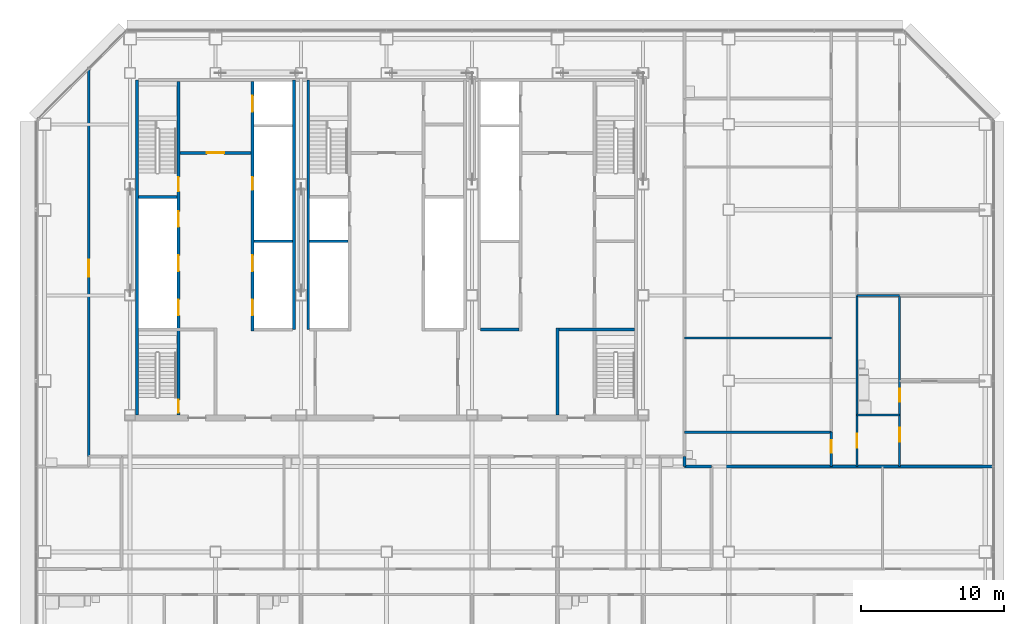
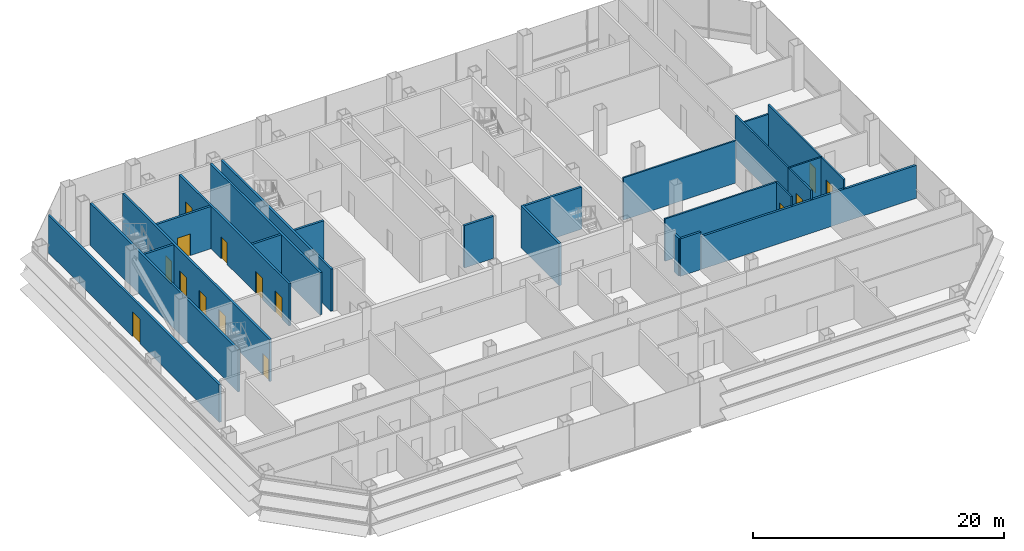
# One storey, part 22 of 27: 25 walls, 15 doors, 15 openings.
"""IFC4 building model written with IfcOpenShell, lengths in metres."""

from ifc_helpers import new_model, si_unit, direction, frame, frame_2d, origin, place, context, subcontext, project, spatial, rectangle, extrude, material, layer, layer_set, type_object, element, fill, save


model = new_model("IFC4")

# Units and contexts
model_context = context("Model", 3, precision=1e-05, world=origin(), true_north=direction((0.0, 1.0)))
body_context = subcontext(model_context, "Body", "Model", "MODEL_VIEW")
ifc_project = project(units=[si_unit("LENGTHUNIT", "METRE"), si_unit("AREAUNIT", "SQUARE_METRE"), si_unit("VOLUMEUNIT", "CUBIC_METRE"), si_unit("PLANEANGLEUNIT", "RADIAN"), si_unit("MASSUNIT", "GRAM", prefix="KILO")], contexts=[model_context])

# Site, building, storey
site_placement = place(None, origin())
site = spatial("IfcSite", under=ifc_project, at=site_placement, CompositionType="ELEMENT")
building_placement = place(site_placement, origin())
building = spatial("IfcBuilding", under=site, at=building_placement, Name="Sorahane Residences", CompositionType="ELEMENT")
storey_placement = place(building_placement, frame((0.0, 0.0, 85.800048828125)))
storey = spatial("IfcBuildingStorey", under=building, at=storey_placement, Name="L18", CompositionType="ELEMENT", Elevation=85.800048828125)

# Walls
ifc_material_1 = material(Name="Concrete C30", Category="concrete")
ifc_layer_1 = layer(ifc_material_1, 0.199951171875)
ifc_layer_set_1 = layer_set([ifc_layer_1], Name="Core face wall 200 EI 180")
wall_type_1 = type_object("IfcWallType", Name="Core face wall 200 EI 180", PredefinedType="SOLIDWALL", material=ifc_layer_set_1)
wall_1_placement = place(storey_placement, frame((6.5, 21.60009765625, 0.0), z_axis=(0.0, 0.0, 1.0), x_axis=(0.0, 1.0, 0.0)))
element("IfcWall", 1, at=wall_1_placement, inside=storey, type_object=wall_type_1, Name="L18 core face wall", PredefinedType="SOLIDWALL", context=body_context, shape_type="SweptSolid", body=[
    extrude(rectangle(XDim=23.5, YDim=0.199951171875, at=frame_2d((11.75, 0.0))), origin(), (0.0, 0.0, 1.0), 4.099853515625),
])
for number, where, z_axis, x_axis, name in (
    (2, (17.5, 27.60009765625, 0.0), (0.0, 0.0, 1.0), (0.0, 1.0, 0.0), "L18 core face wall"),
    (3, (18.5, 27.60009765625, 0.0), (0.0, 0.0, 1.0), (0.0, 1.0, 0.0), "L18 core face wall"),
):
    element("IfcWall", number, at=place(storey_placement, frame(where, z_axis=z_axis, x_axis=x_axis)), inside=storey, type_object=wall_type_1, Name=name, PredefinedType="SOLIDWALL", context=body_context, shape_type="SweptSolid", body=[
        extrude(rectangle(XDim=17.5, YDim=0.199951171875, at=frame_2d((8.75, 0.0))), origin(), (0.0, 0.0, 1.0), 4.099853515625),
    ])

# Wall, opening, door
ifc_material_2 = material(Name="Concrete blockwork C20 wall", Category="masonry")
ifc_layer_2 = layer(ifc_material_2, 0.199951171875)
ifc_layer_set_2 = layer_set([ifc_layer_2], Name="Corridor wall 200 EI 120")
wall_type_2 = type_object("IfcWallType", Name="Corridor wall 200 EI 120", PredefinedType="SOLIDWALL", material=ifc_layer_set_2)
wall_2_placement = place(storey_placement, frame((3.10009765625, 18.699951171875, 0.0), z_axis=(0.0, 0.0, 1.0), x_axis=(0.0, 1.0, 0.0)))
wall_2 = element("IfcWall", 4, at=wall_2_placement, inside=storey, type_object=wall_type_2, Name="L18 corridor wall", PredefinedType="SOLIDWALL", context=body_context, shape_type="SweptSolid", body=[
    extrude(rectangle(XDim=27.2490234375, YDim=0.199951171875, at=frame_2d((13.62451171875, 0.0))), origin(), (0.0, 0.0, 1.0), 3.64990234375),
])
opening_1_placement = place(wall_2_placement, frame((12.60009765625, 0.0, 0.0)))
opening_1 = element("IfcOpeningElement", 5, at=opening_1_placement, cuts=wall_2, Name="Opening L18-43", PredefinedType="OPENING", context=body_context, shape_type="SweptSolid", body=[
    extrude(rectangle(XDim=1.199951171875, YDim=2.39990234375, at=frame_2d((0.60009765625, 1.199951171875))), frame((0.0, 0.10986328125, 0.0), z_axis=(0.0, -1.0, 0.0), x_axis=(1.0, 0.0, 0.0)), (0.0, 0.0, 1.0), 0.219970703125),
])
ifc_material_3 = material(Name="Steel", Category="steel")
door_type_1 = type_object("IfcDoorType", Name="Lobby door 1200x2400 FD60", OperationType="NOTDEFINED", PredefinedType="DOOR", material=ifc_material_3)
door_1_placement = place(opening_1_placement, origin())
door_1 = element("IfcDoor", 6, at=door_1_placement, inside=storey, type_object=door_type_1, Name="Lobby door L18-43", OperationType="SINGLE_SWING_RIGHT", OverallHeight=2.39990234375, OverallWidth=1.199951171875, PredefinedType="DOOR", context=body_context, shape_type="SweptSolid", body=[
    extrude(rectangle(XDim=1.199951171875, YDim=2.39990234375, at=frame_2d((0.60009765625, 1.199951171875))), frame((0.0, 0.02490234375, 0.0), z_axis=(0.0, -1.0, 0.0), x_axis=(1.0, 0.0, 0.0)), (0.0, 0.0, 1.0), 0.050048828125),
])
fill(opening_1, door_1)

# Wall
ifc_material_4 = material(Name="Concrete C30", Category="concrete")
ifc_layer_3 = layer(ifc_material_4, 0.199951171875)
ifc_layer_set_3 = layer_set([ifc_layer_3], Name="Front room wall 200 EI 120")
wall_type_3 = type_object("IfcWallType", Name="Front room wall 200 EI 120", PredefinedType="PARTITIONING", material=ifc_layer_set_3)
wall_3_placement = place(storey_placement, frame((36.0, 21.60009765625, 0.0), z_axis=(0.0, 0.0, 1.0), x_axis=(0.0, 1.0, 0.0)))
element("IfcWall", 7, at=wall_3_placement, inside=storey, type_object=wall_type_3, Name="L18 front room wall", PredefinedType="PARTITIONING", context=body_context, shape_type="SweptSolid", body=[
    extrude(rectangle(XDim=6.099853515625, YDim=0.199951171875, at=frame_2d((3.0498046875, 0.0))), origin(), (0.0, 0.0, 1.0), 4.099853515625),
])

# Wall, opening, door
wall_4_placement = place(storey_placement, frame((9.5, 40.0, 0.0), z_axis=(0.0, 0.0, 1.0), x_axis=(1.0, 0.0, 0.0)))
wall_4 = element("IfcWall", 8, at=wall_4_placement, inside=storey, type_object=wall_type_3, Name="L18 front room wall", PredefinedType="PARTITIONING", context=body_context, shape_type="SweptSolid", body=[
    extrude(rectangle(XDim=5.0, YDim=0.199951171875, at=frame_2d((2.5, 0.0))), origin(), (0.0, 0.0, 1.0), 4.099853515625),
])
opening_2_placement = place(wall_4_placement, frame((1.89990234375, 0.0, 0.0)))
opening_2 = element("IfcOpeningElement", 9, at=opening_2_placement, cuts=wall_4, Name="Opening L18-C08", PredefinedType="OPENING", context=body_context, shape_type="SweptSolid", body=[
    extrude(rectangle(XDim=1.199951171875, YDim=2.10009765625, at=frame_2d((0.60009765625, 1.050048828125))), frame((0.0, 0.10986328125, 0.0), z_axis=(0.0, -1.0, 0.0), x_axis=(1.0, 0.0, 0.0)), (0.0, 0.0, 1.0), 0.219970703125),
])
ifc_material_5 = material(Name="Steel", Category="steel")
door_type_2 = type_object("IfcDoorType", Name="Front room door 1200x2100 FD120", OperationType="NOTDEFINED", PredefinedType="DOOR", material=ifc_material_5)
door_2_placement = place(opening_2_placement, frame((1.199951171875, 0.0, 0.0), z_axis=(0.0, 0.0, 1.0), x_axis=(-1.0, 0.0, 0.0)))
door_2 = element("IfcDoor", 10, at=door_2_placement, inside=storey, type_object=door_type_2, Name="Front room door Firefighting lobby FF1 front room L18", OperationType="DOUBLE_DOOR_SINGLE_SWING", OverallHeight=2.10009765625, OverallWidth=1.199951171875, PredefinedType="DOOR", context=body_context, shape_type="SweptSolid", body=[
    extrude(rectangle(XDim=1.199951171875, YDim=2.10009765625, at=frame_2d((0.60009765625, 1.050048828125))), frame((0.0, 0.02490234375, 0.0), z_axis=(0.0, -1.0, 0.0), x_axis=(1.0, 0.0, 0.0)), (0.0, 0.0, 1.0), 0.050048828125),
])
fill(opening_2, door_2)

# Walls
ifc_material_6 = material(Name="Concrete blockwork C20 wall", Category="masonry")
ifc_layer_4 = layer(ifc_material_6, 0.199951171875)
ifc_layer_set_4 = layer_set([ifc_layer_4], Name="Kitchen wall 200 EI 180")
wall_type_4 = type_object("IfcWallType", Name="Kitchen wall 200 EI 180", PredefinedType="SOLIDWALL", material=ifc_layer_set_4)
wall_5_placement = place(storey_placement, frame((44.89990234375, 18.0, 0.0), z_axis=(0.0, 0.0, 1.0), x_axis=(0.0, 1.0, 0.0)))
element("IfcWall", 11, at=wall_5_placement, inside=storey, type_object=wall_type_4, Name="L18 kitchen wall", PredefinedType="SOLIDWALL", context=body_context, shape_type="SweptSolid", body=[
    extrude(rectangle(XDim=0.699951171875, YDim=0.199951171875, at=frame_2d((0.35009765625, 0.0))), origin(), (0.0, 0.0, 1.0), 3.64990234375),
])
wall_6_placement = place(storey_placement, frame((44.89990234375, 18.0, 0.0), z_axis=(0.0, 0.0, 1.0), x_axis=(1.0, 0.0, 0.0)))
element("IfcWall", 12, at=wall_6_placement, inside=storey, type_object=wall_type_4, Name="L18 kitchen wall", PredefinedType="SOLIDWALL", context=body_context, shape_type="SweptSolid", body=[
    extrude(rectangle(XDim=1.900146484375, YDim=0.199951171875, at=frame_2d((0.9501953125, 0.0))), origin(), (0.0, 0.0, 1.0), 3.64990234375),
])

# Wall, openings, doors
ifc_material_7 = material(Name="Concrete C30", Category="concrete")
ifc_layer_5 = layer(ifc_material_7, 0.199951171875)
ifc_layer_set_5 = layer_set([ifc_layer_5], Name="Lift shaft wall 200 EI 120")
wall_type_5 = type_object("IfcWallType", Name="Lift shaft wall 200 EI 120", PredefinedType="SOLIDWALL", material=ifc_layer_set_5)
wall_7_placement = place(storey_placement, frame((14.60009765625, 27.5, 0.0), z_axis=(0.0, 0.0, 1.0), x_axis=(0.0, 1.0, 0.0)))
wall_7 = element("IfcWall", 13, at=wall_7_placement, inside=storey, type_object=wall_type_5, Name="L18 lift shaft wall", PredefinedType="SOLIDWALL", context=body_context, shape_type="SweptSolid", body=[
    extrude(rectangle(XDim=17.5, YDim=0.199951171875, at=frame_2d((8.75, 0.0))), origin(), (0.0, 0.0, 1.0), 4.099853515625),
])
opening_3_placement = place(wall_7_placement, frame((1.10009765625, 0.0, 0.0)))
opening_3 = element("IfcOpeningElement", 14, at=opening_3_placement, cuts=wall_7, Name="Opening L18-C12", PredefinedType="OPENING", context=body_context, shape_type="SweptSolid", body=[
    extrude(rectangle(XDim=1.10009765625, YDim=2.10009765625, at=frame_2d((0.550048828125, 1.050048828125))), frame((0.0, 0.10986328125, 0.0), z_axis=(0.0, -1.0, 0.0), x_axis=(1.0, 0.0, 0.0)), (0.0, 0.0, 1.0), 0.219970703125),
])
opening_4_placement = place(wall_7_placement, frame((4.199951171875, 0.0, 0.0)))
opening_4 = element("IfcOpeningElement", 15, at=opening_4_placement, cuts=wall_7, Name="Opening L18-C13", PredefinedType="OPENING", context=body_context, shape_type="SweptSolid", body=[
    extrude(rectangle(XDim=1.10009765625, YDim=2.10009765625, at=frame_2d((0.550048828125, 1.050048828125))), frame((0.0, 0.10986328125, 0.0), z_axis=(0.0, -1.0, 0.0), x_axis=(1.0, 0.0, 0.0)), (0.0, 0.0, 1.0), 0.219970703125),
])
opening_5_placement = place(wall_7_placement, frame((15.39990234375, 0.0, 0.0)))
opening_5 = element("IfcOpeningElement", 16, at=opening_5_placement, cuts=wall_7, Name="Opening L18-C14", PredefinedType="OPENING", context=body_context, shape_type="SweptSolid", body=[
    extrude(rectangle(XDim=1.10009765625, YDim=2.10009765625, at=frame_2d((0.550048828125, 1.050048828125))), frame((0.0, 0.10986328125, 0.0), z_axis=(0.0, -1.0, 0.0), x_axis=(1.0, 0.0, 0.0)), (0.0, 0.0, 1.0), 0.219970703125),
])
opening_6_placement = place(wall_7_placement, frame((9.89990234375, 0.0, 0.0)))
opening_6 = element("IfcOpeningElement", 17, at=opening_6_placement, cuts=wall_7, Name="Opening L18-C26", PredefinedType="OPENING", context=body_context, shape_type="SweptSolid", body=[
    extrude(rectangle(XDim=0.89990234375, YDim=2.10009765625, at=frame_2d((0.449951171875, 1.050048828125))), frame((0.0, 0.10986328125, 0.0), z_axis=(0.0, -1.0, 0.0), x_axis=(1.0, 0.0, 0.0)), (0.0, 0.0, 1.0), 0.219970703125),
])
ifc_material_8 = material(Name="Aluminium and stainless steel", Category="steel")
door_type_3 = type_object("IfcDoorType", Name="Lift landing door 1100x2100 E 60", OperationType="NOTDEFINED", PredefinedType="DOOR", material=ifc_material_8)
door_3_placement = place(opening_3_placement, origin())
door_3 = element("IfcDoor", 18, at=door_3_placement, inside=storey, type_object=door_type_3, Name="Lift landing door LR4 L18", OperationType="DOUBLE_DOOR_SLIDING", OverallHeight=2.10009765625, OverallWidth=1.10009765625, PredefinedType="DOOR", context=body_context, shape_type="SweptSolid", body=[
    extrude(rectangle(XDim=1.10009765625, YDim=2.10009765625, at=frame_2d((0.550048828125, 1.050048828125))), frame((0.0, 0.02490234375, 0.0), z_axis=(0.0, -1.0, 0.0), x_axis=(1.0, 0.0, 0.0)), (0.0, 0.0, 1.0), 0.050048828125),
])
fill(opening_3, door_3)
door_4_placement = place(opening_4_placement, origin())
door_4 = element("IfcDoor", 19, at=door_4_placement, inside=storey, type_object=door_type_3, Name="Lift landing door LR5 L18", OperationType="DOUBLE_DOOR_SLIDING", OverallHeight=2.10009765625, OverallWidth=1.10009765625, PredefinedType="DOOR", context=body_context, shape_type="SweptSolid", body=[
    extrude(rectangle(XDim=1.10009765625, YDim=2.10009765625, at=frame_2d((0.550048828125, 1.050048828125))), frame((0.0, 0.02490234375, 0.0), z_axis=(0.0, -1.0, 0.0), x_axis=(1.0, 0.0, 0.0)), (0.0, 0.0, 1.0), 0.050048828125),
])
fill(opening_4, door_4)
door_5_placement = place(opening_5_placement, origin())
door_5 = element("IfcDoor", 20, at=door_5_placement, inside=storey, type_object=door_type_3, Name="Lift landing door FF1 L18", OperationType="DOUBLE_DOOR_SLIDING", OverallHeight=2.10009765625, OverallWidth=1.10009765625, PredefinedType="DOOR", context=body_context, shape_type="SweptSolid", body=[
    extrude(rectangle(XDim=1.10009765625, YDim=2.10009765625, at=frame_2d((0.550048828125, 1.050048828125))), frame((0.0, 0.02490234375, 0.0), z_axis=(0.0, -1.0, 0.0), x_axis=(1.0, 0.0, 0.0)), (0.0, 0.0, 1.0), 0.050048828125),
])
fill(opening_5, door_5)
ifc_material_9 = material(Name="Steel", Category="steel")
door_type_4 = type_object("IfcDoorType", Name="Riser door 900x2100 FD120", OperationType="NOTDEFINED", PredefinedType="DOOR", material=ifc_material_9)
door_6_placement = place(opening_6_placement, origin())
door_6 = element("IfcDoor", 21, at=door_6_placement, inside=storey, type_object=door_type_4, Name="Riser door R1 L18", OperationType="SINGLE_SWING_LEFT", OverallHeight=2.10009765625, OverallWidth=0.89990234375, PredefinedType="DOOR", context=body_context, shape_type="SweptSolid", body=[
    extrude(rectangle(XDim=0.89990234375, YDim=2.10009765625, at=frame_2d((0.449951171875, 1.050048828125))), frame((0.0, 0.02490234375, 0.0), z_axis=(0.0, -1.0, 0.0), x_axis=(1.0, 0.0, 0.0)), (0.0, 0.0, 1.0), 0.050048828125),
])
fill(opening_6, door_6)

# Walls
for number, where, z_axis, x_axis, name in (
    (22, (14.699951171875, 33.800048828125, 0.0), (0.0, 0.0, 1.0), (1.0, 0.0, 0.0), "L18 lift shaft wall"),
    (23, (18.60009765625, 33.800048828125, 0.0), (0.0, 0.0, 1.0), (1.0, 0.0, 0.0), "L18 lift shaft wall"),
):
    element("IfcWall", number, at=place(storey_placement, frame(where, z_axis=z_axis, x_axis=x_axis)), inside=storey, type_object=wall_type_5, Name=name, PredefinedType="SOLIDWALL", context=body_context, shape_type="SweptSolid", body=[
        extrude(rectangle(XDim=2.699951171875, YDim=0.199951171875, at=frame_2d((1.35009765625, 0.0))), origin(), (0.0, 0.0, 1.0), 4.099853515625),
    ])

# Wall, opening, door
ifc_material_10 = material(Name="Gypsum board partition on steel studs", Category="steel")
ifc_layer_6 = layer(ifc_material_10, 0.14990234375)
ifc_layer_set_6 = layer_set([ifc_layer_6], Name="Partition 150 EI 90")
wall_type_6 = type_object("IfcWallType", Name="Partition 150 EI 90", PredefinedType="PARTITIONING", material=ifc_layer_set_6)
wall_8_placement = place(storey_placement, frame((57.0, 18.0, 0.0), z_axis=(0.0, 0.0, 1.0), x_axis=(0.0, 1.0, 0.0)))
wall_8 = element("IfcWall", 24, at=wall_8_placement, inside=storey, type_object=wall_type_6, Name="L18 partition", PredefinedType="PARTITIONING", context=body_context, shape_type="SweptSolid", body=[
    extrude(rectangle(XDim=3.60009765625, YDim=0.14990234375, at=frame_2d((1.800048828125, 0.0))), origin(), (0.0, 0.0, 1.0), 4.099853515625),
])
opening_7_placement = place(wall_8_placement, frame((1.300048828125, 0.0, 0.0)))
opening_7 = element("IfcOpeningElement", 25, at=opening_7_placement, cuts=wall_8, Name="Opening L18-33", PredefinedType="OPENING", context=body_context, shape_type="SweptSolid", body=[
    extrude(rectangle(XDim=1.0, YDim=2.39990234375, at=frame_2d((0.5, 1.199951171875))), frame((0.0, 0.0849609375, 0.0), z_axis=(0.0, -1.0, 0.0), x_axis=(1.0, 0.0, 0.0)), (0.0, 0.0, 1.0), 0.169921875),
])
ifc_material_11 = material(Name="Timber veneered fire door", Category="wood")
door_type_5 = type_object("IfcDoorType", Name="Room door 1000x2400 FD30", OperationType="NOTDEFINED", PredefinedType="DOOR", material=ifc_material_11)
door_7_placement = place(opening_7_placement, frame((1.0, 0.0, 0.0), z_axis=(0.0, 0.0, 1.0), x_axis=(-1.0, 0.0, 0.0)))
door_7 = element("IfcDoor", 26, at=door_7_placement, inside=storey, type_object=door_type_5, Name="Room door L18-33", OperationType="SINGLE_SWING_RIGHT", OverallHeight=2.39990234375, OverallWidth=1.0, PredefinedType="DOOR", context=body_context, shape_type="SweptSolid", body=[
    extrude(rectangle(XDim=1.0, YDim=2.39990234375, at=frame_2d((0.5, 1.199951171875))), frame((0.0, 0.02490234375, 0.0), z_axis=(0.0, -1.0, 0.0), x_axis=(1.0, 0.0, 0.0)), (0.0, 0.0, 1.0), 0.050048828125),
])
fill(opening_7, door_7)

wall_9_placement = place(storey_placement, frame((60.0, 18.0, 0.0), z_axis=(0.0, 0.0, 1.0), x_axis=(0.0, 1.0, 0.0)))
wall_9 = element("IfcWall", 27, at=wall_9_placement, inside=storey, type_object=wall_type_6, Name="L18 partition", PredefinedType="PARTITIONING", context=body_context, shape_type="SweptSolid", body=[
    extrude(rectangle(XDim=3.60009765625, YDim=0.14990234375, at=frame_2d((1.800048828125, 0.0))), origin(), (0.0, 0.0, 1.0), 4.099853515625),
])
opening_8_placement = place(wall_9_placement, frame((1.719970703125, 0.0, 0.0)))
opening_8 = element("IfcOpeningElement", 28, at=opening_8_placement, cuts=wall_9, Name="Opening L18-36", PredefinedType="OPENING", context=body_context, shape_type="SweptSolid", body=[
    extrude(rectangle(XDim=1.0, YDim=2.39990234375, at=frame_2d((0.5, 1.199951171875))), frame((0.0, 0.0849609375, 0.0), z_axis=(0.0, -1.0, 0.0), x_axis=(1.0, 0.0, 0.0)), (0.0, 0.0, 1.0), 0.169921875),
])
door_8_placement = place(opening_8_placement, frame((1.0, 0.0, 0.0), z_axis=(0.0, 0.0, 1.0), x_axis=(-1.0, 0.0, 0.0)))
door_8 = element("IfcDoor", 29, at=door_8_placement, inside=storey, type_object=door_type_5, Name="Room door L18-36", OperationType="SINGLE_SWING_RIGHT", OverallHeight=2.39990234375, OverallWidth=1.0, PredefinedType="DOOR", context=body_context, shape_type="SweptSolid", body=[
    extrude(rectangle(XDim=1.0, YDim=2.39990234375, at=frame_2d((0.5, 1.199951171875))), frame((0.0, 0.02490234375, 0.0), z_axis=(0.0, -1.0, 0.0), x_axis=(1.0, 0.0, 0.0)), (0.0, 0.0, 1.0), 0.050048828125),
])
fill(opening_8, door_8)

# Walls
wall_10_placement = place(storey_placement, frame((44.89990234375, 27.0, 0.0), z_axis=(0.0, 0.0, 1.0), x_axis=(1.0, 0.0, 0.0)))
element("IfcWall", 30, at=wall_10_placement, inside=storey, type_object=wall_type_6, Name="L18 partition", PredefinedType="PARTITIONING", context=body_context, shape_type="SweptSolid", body=[
    extrude(rectangle(XDim=10.300048828125, YDim=0.14990234375, at=frame_2d((5.14990234375, 0.0))), origin(), (0.0, 0.0, 1.0), 4.099853515625),
])
ifc_material_12 = material(Name="Concrete blockwork C20 wall", Category="masonry")
ifc_layer_7 = layer(ifc_material_12, 0.199951171875)
ifc_layer_set_7 = layer_set([ifc_layer_7], Name="Party wall 200 EI 120")
wall_type_7 = type_object("IfcWallType", Name="Party wall 200 EI 120", PredefinedType="SOLIDWALL", material=ifc_layer_set_7)
wall_11_placement = place(storey_placement, frame((46.800048828125, 18.0, 0.0), z_axis=(0.0, 0.0, 1.0), x_axis=(1.0, 0.0, 0.0)))
element("IfcWall", 31, at=wall_11_placement, inside=storey, type_object=wall_type_7, Name="L18 party wall", PredefinedType="SOLIDWALL", context=body_context, shape_type="SweptSolid", body=[
    extrude(rectangle(XDim=19.800048828125, YDim=0.199951171875, at=frame_2d((9.89990234375, 0.0))), origin(), (0.0, 0.0, 1.0), 3.199951171875),
])
ifc_material_13 = material(Name="Concrete C30", Category="concrete")
ifc_layer_8 = layer(ifc_material_13, 0.199951171875)
ifc_layer_set_8 = layer_set([ifc_layer_8], Name="Service room partition 200 EI 60")
wall_type_8 = type_object("IfcWallType", Name="Service room partition 200 EI 60", PredefinedType="PARTITIONING", material=ifc_layer_set_8)
wall_12_placement = place(storey_placement, frame((30.60009765625, 27.60009765625, 0.0), z_axis=(0.0, 0.0, 1.0), x_axis=(1.0, 0.0, 0.0)))
element("IfcWall", 32, at=wall_12_placement, inside=storey, type_object=wall_type_8, Name="L18 service room wall", PredefinedType="PARTITIONING", context=body_context, shape_type="SweptSolid", body=[
    extrude(rectangle(XDim=2.699951171875, YDim=0.199951171875, at=frame_2d((1.35009765625, 0.0))), origin(), (0.0, 0.0, 1.0), 4.099853515625),
])

# Wall, openings, doors
ifc_material_14 = material(Name="Concrete C30", Category="concrete")
ifc_layer_9 = layer(ifc_material_14, 0.199951171875)
ifc_layer_set_9 = layer_set([ifc_layer_9], Name="Stair enclosure wall 200 EI 120")
wall_type_9 = type_object("IfcWallType", Name="Stair enclosure wall 200 EI 120", PredefinedType="SOLIDWALL", material=ifc_layer_set_9)
wall_13_placement = place(storey_placement, frame((9.39990234375, 21.60009765625, 0.0), z_axis=(0.0, 0.0, 1.0), x_axis=(0.0, 1.0, 0.0)))
wall_13 = element("IfcWall", 33, at=wall_13_placement, inside=storey, type_object=wall_type_9, Name="L18 stair enclosure wall", PredefinedType="SOLIDWALL", context=body_context, shape_type="SweptSolid", body=[
    extrude(rectangle(XDim=23.39990234375, YDim=0.199951171875, at=frame_2d((11.699951171875, 0.0))), origin(), (0.0, 0.0, 1.0), 4.099853515625),
])
opening_9_placement = place(wall_13_placement, frame((7.0, 0.0, 0.0)))
opening_9 = element("IfcOpeningElement", 34, at=opening_9_placement, cuts=wall_13, Name="Opening L18-C15", PredefinedType="OPENING", context=body_context, shape_type="SweptSolid", body=[
    extrude(rectangle(XDim=1.10009765625, YDim=2.10009765625, at=frame_2d((0.550048828125, 1.050048828125))), frame((0.0, 0.10986328125, 0.0), z_axis=(0.0, -1.0, 0.0), x_axis=(1.0, 0.0, 0.0)), (0.0, 0.0, 1.0), 0.219970703125),
])
opening_10_placement = place(wall_13_placement, frame((10.10009765625, 0.0, 0.0)))
opening_10 = element("IfcOpeningElement", 35, at=opening_10_placement, cuts=wall_13, Name="Opening L18-C16", PredefinedType="OPENING", context=body_context, shape_type="SweptSolid", body=[
    extrude(rectangle(XDim=1.10009765625, YDim=2.10009765625, at=frame_2d((0.550048828125, 1.050048828125))), frame((0.0, 0.10986328125, 0.0), z_axis=(0.0, -1.0, 0.0), x_axis=(1.0, 0.0, 0.0)), (0.0, 0.0, 1.0), 0.219970703125),
])
opening_11_placement = place(wall_13_placement, frame((13.199951171875, 0.0, 0.0)))
opening_11 = element("IfcOpeningElement", 36, at=opening_11_placement, cuts=wall_13, Name="Opening L18-C17", PredefinedType="OPENING", context=body_context, shape_type="SweptSolid", body=[
    extrude(rectangle(XDim=1.10009765625, YDim=2.10009765625, at=frame_2d((0.550048828125, 1.050048828125))), frame((0.0, 0.10986328125, 0.0), z_axis=(0.0, -1.0, 0.0), x_axis=(1.0, 0.0, 0.0)), (0.0, 0.0, 1.0), 0.219970703125),
])
opening_12_placement = place(wall_13_placement, frame((15.699951171875, 0.0, 0.0)))
opening_12 = element("IfcOpeningElement", 37, at=opening_12_placement, cuts=wall_13, Name="Opening L18-C21", PredefinedType="OPENING", context=body_context, shape_type="SweptSolid", body=[
    extrude(rectangle(XDim=1.0, YDim=2.10009765625, at=frame_2d((0.5, 1.050048828125))), frame((0.0, 0.10986328125, 0.0), z_axis=(0.0, -1.0, 0.0), x_axis=(1.0, 0.0, 0.0)), (0.0, 0.0, 1.0), 0.219970703125),
])
opening_13_placement = place(wall_13_placement, frame((0.175048828125, 0.0, 0.0)))
opening_13 = element("IfcOpeningElement", 38, at=opening_13_placement, cuts=wall_13, Name="Opening L18-C24", PredefinedType="OPENING", context=body_context, shape_type="SweptSolid", body=[
    extrude(rectangle(XDim=0.89990234375, YDim=2.10009765625, at=frame_2d((0.449951171875, 1.050048828125))), frame((0.0, 0.10986328125, 0.0), z_axis=(0.0, -1.0, 0.0), x_axis=(1.0, 0.0, 0.0)), (0.0, 0.0, 1.0), 0.219970703125),
])
door_9_placement = place(opening_9_placement, origin())
door_9 = element("IfcDoor", 39, at=door_9_placement, inside=storey, type_object=door_type_3, Name="Lift landing door LR1 L18", OperationType="DOUBLE_DOOR_SLIDING", OverallHeight=2.10009765625, OverallWidth=1.10009765625, PredefinedType="DOOR", context=body_context, shape_type="SweptSolid", body=[
    extrude(rectangle(XDim=1.10009765625, YDim=2.10009765625, at=frame_2d((0.550048828125, 1.050048828125))), frame((0.0, 0.02490234375, 0.0), z_axis=(0.0, -1.0, 0.0), x_axis=(1.0, 0.0, 0.0)), (0.0, 0.0, 1.0), 0.050048828125),
])
fill(opening_9, door_9)
door_10_placement = place(opening_10_placement, origin())
door_10 = element("IfcDoor", 40, at=door_10_placement, inside=storey, type_object=door_type_3, Name="Lift landing door LR2 L18", OperationType="DOUBLE_DOOR_SLIDING", OverallHeight=2.10009765625, OverallWidth=1.10009765625, PredefinedType="DOOR", context=body_context, shape_type="SweptSolid", body=[
    extrude(rectangle(XDim=1.10009765625, YDim=2.10009765625, at=frame_2d((0.550048828125, 1.050048828125))), frame((0.0, 0.02490234375, 0.0), z_axis=(0.0, -1.0, 0.0), x_axis=(1.0, 0.0, 0.0)), (0.0, 0.0, 1.0), 0.050048828125),
])
fill(opening_10, door_10)
door_11_placement = place(opening_11_placement, origin())
door_11 = element("IfcDoor", 41, at=door_11_placement, inside=storey, type_object=door_type_3, Name="Lift landing door LR3 L18", OperationType="DOUBLE_DOOR_SLIDING", OverallHeight=2.10009765625, OverallWidth=1.10009765625, PredefinedType="DOOR", context=body_context, shape_type="SweptSolid", body=[
    extrude(rectangle(XDim=1.10009765625, YDim=2.10009765625, at=frame_2d((0.550048828125, 1.050048828125))), frame((0.0, 0.02490234375, 0.0), z_axis=(0.0, -1.0, 0.0), x_axis=(1.0, 0.0, 0.0)), (0.0, 0.0, 1.0), 0.050048828125),
])
fill(opening_11, door_11)
ifc_material_15 = material(Name="Steel", Category="steel")
door_type_6 = type_object("IfcDoorType", Name="Stair door 1000x2100 FD120", OperationType="NOTDEFINED", PredefinedType="DOOR", material=ifc_material_15)
door_12_placement = place(opening_12_placement, origin())
door_12 = element("IfcDoor", 42, at=door_12_placement, inside=storey, type_object=door_type_6, Name="Stair door S1 L18", OperationType="SINGLE_SWING_LEFT", OverallHeight=2.10009765625, OverallWidth=1.0, PredefinedType="DOOR", context=body_context, shape_type="SweptSolid", body=[
    extrude(rectangle(XDim=1.0, YDim=2.10009765625, at=frame_2d((0.5, 1.050048828125))), frame((0.0, 0.02490234375, 0.0), z_axis=(0.0, -1.0, 0.0), x_axis=(1.0, 0.0, 0.0)), (0.0, 0.0, 1.0), 0.050048828125),
])
fill(opening_12, door_12)
ifc_material_16 = material(Name="Steel", Category="steel")
door_type_7 = type_object("IfcDoorType", Name="Stair door 900x2100 FD120", OperationType="NOTDEFINED", PredefinedType="DOOR", material=ifc_material_16)
door_13_placement = place(opening_13_placement, origin())
door_13 = element("IfcDoor", 43, at=door_13_placement, inside=storey, type_object=door_type_7, Name="Stair door S4 L18", OperationType="SINGLE_SWING_LEFT", OverallHeight=2.10009765625, OverallWidth=0.89990234375, PredefinedType="DOOR", context=body_context, shape_type="SweptSolid", body=[
    extrude(rectangle(XDim=0.89990234375, YDim=2.10009765625, at=frame_2d((0.449951171875, 1.050048828125))), frame((0.0, 0.02490234375, 0.0), z_axis=(0.0, -1.0, 0.0), x_axis=(1.0, 0.0, 0.0)), (0.0, 0.0, 1.0), 0.050048828125),
])
fill(opening_13, door_13)

# Walls
wall_14_placement = place(storey_placement, frame((36.10009765625, 27.60009765625, 0.0), z_axis=(0.0, 0.0, 1.0), x_axis=(1.0, 0.0, 0.0)))
element("IfcWall", 44, at=wall_14_placement, inside=storey, type_object=wall_type_9, Name="L18 stair enclosure wall", PredefinedType="SOLIDWALL", context=body_context, shape_type="SweptSolid", body=[
    extrude(rectangle(XDim=5.2998046875, YDim=0.199951171875, at=frame_2d((2.64990234375, 0.0))), origin(), (0.0, 0.0, 1.0), 4.099853515625),
])
wall_15_placement = place(storey_placement, frame((6.60009765625, 36.89990234375, 0.0), z_axis=(0.0, 0.0, 1.0), x_axis=(1.0, 0.0, 0.0)))
element("IfcWall", 45, at=wall_15_placement, inside=storey, type_object=wall_type_9, Name="L18 stair enclosure wall", PredefinedType="SOLIDWALL", context=body_context, shape_type="SweptSolid", body=[
    extrude(rectangle(XDim=2.699951171875, YDim=0.199951171875, at=frame_2d((1.35009765625, 0.0))), origin(), (0.0, 0.0, 1.0), 4.099853515625),
])

# Wall, opening, door
ifc_material_17 = material(Name="Gypsum board partition on steel studs", Category="steel")
ifc_layer_10 = layer(ifc_material_17, 0.14990234375)
ifc_layer_set_10 = layer_set([ifc_layer_10], Name="Wet wall 150 EI 90")
wall_type_10 = type_object("IfcWallType", Name="Wet wall 150 EI 90", PredefinedType="PARTITIONING", material=ifc_layer_set_10)
wall_16_placement = place(storey_placement, frame((55.199951171875, 18.0, 0.0), z_axis=(0.0, 0.0, 1.0), x_axis=(0.0, 1.0, 0.0)))
wall_16 = element("IfcWall", 46, at=wall_16_placement, inside=storey, type_object=wall_type_10, Name="L18 wet wall", PredefinedType="PARTITIONING", context=body_context, shape_type="SweptSolid", body=[
    extrude(rectangle(XDim=2.39990234375, YDim=0.14990234375, at=frame_2d((1.199951171875, 0.0))), origin(), (0.0, 0.0, 1.0), 4.099853515625),
])
opening_14_placement = place(wall_16_placement, frame((0.949951171875, 0.0, 0.0)))
opening_14 = element("IfcOpeningElement", 47, at=opening_14_placement, cuts=wall_16, Name="Opening L18-29", PredefinedType="OPENING", context=body_context, shape_type="SweptSolid", body=[
    extrude(rectangle(XDim=0.89990234375, YDim=2.39990234375, at=frame_2d((0.449951171875, 1.199951171875))), frame((0.0, 0.0849609375, 0.0), z_axis=(0.0, -1.0, 0.0), x_axis=(1.0, 0.0, 0.0)), (0.0, 0.0, 1.0), 0.169921875),
])
ifc_material_18 = material(Name="Timber veneered fire door", Category="wood")
door_type_8 = type_object("IfcDoorType", Name="Bathroom door 900x2400 FD30", OperationType="NOTDEFINED", PredefinedType="DOOR", material=ifc_material_18)
door_14_placement = place(opening_14_placement, frame((0.89990234375, 0.0, 0.0), z_axis=(0.0, 0.0, 1.0), x_axis=(-1.0, 0.0, 0.0)))
door_14 = element("IfcDoor", 48, at=door_14_placement, inside=storey, type_object=door_type_8, Name="Bathroom door L18-29", OperationType="SINGLE_SWING_RIGHT", OverallHeight=2.39990234375, OverallWidth=0.89990234375, PredefinedType="DOOR", context=body_context, shape_type="SweptSolid", body=[
    extrude(rectangle(XDim=0.89990234375, YDim=2.39990234375, at=frame_2d((0.449951171875, 1.199951171875))), frame((0.0, 0.02490234375, 0.0), z_axis=(0.0, -1.0, 0.0), x_axis=(1.0, 0.0, 0.0)), (0.0, 0.0, 1.0), 0.050048828125),
])
fill(opening_14, door_14)

# Wall
wall_17_placement = place(storey_placement, frame((57.0, 21.60009765625, 0.0), z_axis=(0.0, 0.0, 1.0), x_axis=(0.0, 1.0, 0.0)))
element("IfcWall", 49, at=wall_17_placement, inside=storey, type_object=wall_type_10, Name="L18 wet wall", PredefinedType="PARTITIONING", context=body_context, shape_type="SweptSolid", body=[
    extrude(rectangle(XDim=8.39990234375, YDim=0.14990234375, at=frame_2d((4.199951171875, 0.0))), origin(), (0.0, 0.0, 1.0), 4.099853515625),
])

# Wall, opening, door
wall_18_placement = place(storey_placement, frame((60.0, 21.60009765625, 0.0), z_axis=(0.0, 0.0, 1.0), x_axis=(0.0, 1.0, 0.0)))
wall_18 = element("IfcWall", 50, at=wall_18_placement, inside=storey, type_object=wall_type_10, Name="L18 wet wall", PredefinedType="PARTITIONING", context=body_context, shape_type="SweptSolid", body=[
    extrude(rectangle(XDim=8.39990234375, YDim=0.14990234375, at=frame_2d((4.199951171875, 0.0))), origin(), (0.0, 0.0, 1.0), 4.099853515625),
])
opening_15_placement = place(wall_18_placement, frame((0.949951171875, 0.0, 0.0)))
opening_15 = element("IfcOpeningElement", 51, at=opening_15_placement, cuts=wall_18, Name="Opening L18-38", PredefinedType="OPENING", context=body_context, shape_type="SweptSolid", body=[
    extrude(rectangle(XDim=0.89990234375, YDim=2.39990234375, at=frame_2d((0.449951171875, 1.199951171875))), frame((0.0, 0.0849609375, 0.0), z_axis=(0.0, -1.0, 0.0), x_axis=(1.0, 0.0, 0.0)), (0.0, 0.0, 1.0), 0.169921875),
])
door_15_placement = place(opening_15_placement, frame((0.89990234375, 0.0, 0.0), z_axis=(0.0, 0.0, 1.0), x_axis=(-1.0, 0.0, 0.0)))
door_15 = element("IfcDoor", 52, at=door_15_placement, inside=storey, type_object=door_type_8, Name="Bathroom door L18-38", OperationType="SINGLE_SWING_LEFT", OverallHeight=2.39990234375, OverallWidth=0.89990234375, PredefinedType="DOOR", context=body_context, shape_type="SweptSolid", body=[
    extrude(rectangle(XDim=0.89990234375, YDim=2.39990234375, at=frame_2d((0.449951171875, 1.199951171875))), frame((0.0, 0.02490234375, 0.0), z_axis=(0.0, -1.0, 0.0), x_axis=(1.0, 0.0, 0.0)), (0.0, 0.0, 1.0), 0.050048828125),
])
fill(opening_15, door_15)

# Walls
wall_19_placement = place(storey_placement, frame((44.89990234375, 20.39990234375, 0.0), z_axis=(0.0, 0.0, 1.0), x_axis=(1.0, 0.0, 0.0)))
element("IfcWall", 53, at=wall_19_placement, inside=storey, type_object=wall_type_10, Name="L18 wet wall", PredefinedType="PARTITIONING", context=body_context, shape_type="SweptSolid", body=[
    extrude(rectangle(XDim=10.300048828125, YDim=0.14990234375, at=frame_2d((5.14990234375, 0.0))), origin(), (0.0, 0.0, 1.0), 4.099853515625),
])
wall_20_placement = place(storey_placement, frame((57.0, 21.60009765625, 0.0), z_axis=(0.0, 0.0, 1.0), x_axis=(1.0, 0.0, 0.0)))
element("IfcWall", 54, at=wall_20_placement, inside=storey, type_object=wall_type_10, Name="L18 wet wall", PredefinedType="PARTITIONING", context=body_context, shape_type="SweptSolid", body=[
    extrude(rectangle(XDim=3.0, YDim=0.14990234375, at=frame_2d((1.5, 0.0))), origin(), (0.0, 0.0, 1.0), 4.099853515625),
])
wall_21_placement = place(storey_placement, frame((57.0, 30.0, 0.0), z_axis=(0.0, 0.0, 1.0), x_axis=(1.0, 0.0, 0.0)))
element("IfcWall", 55, at=wall_21_placement, inside=storey, type_object=wall_type_10, Name="L18 wet wall", PredefinedType="PARTITIONING", context=body_context, shape_type="SweptSolid", body=[
    extrude(rectangle(XDim=3.0, YDim=0.14990234375, at=frame_2d((1.5, 0.0))), origin(), (0.0, 0.0, 1.0), 3.199951171875),
])

save(model, "model.ifc")
